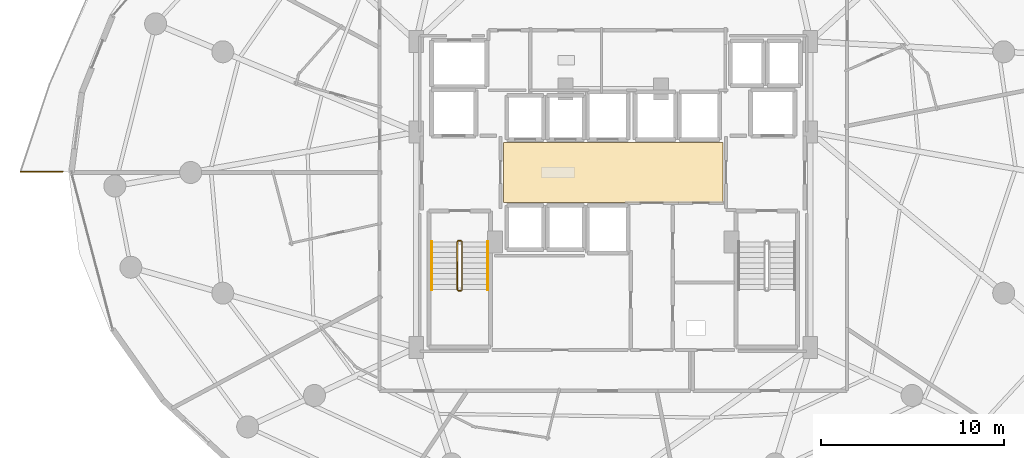
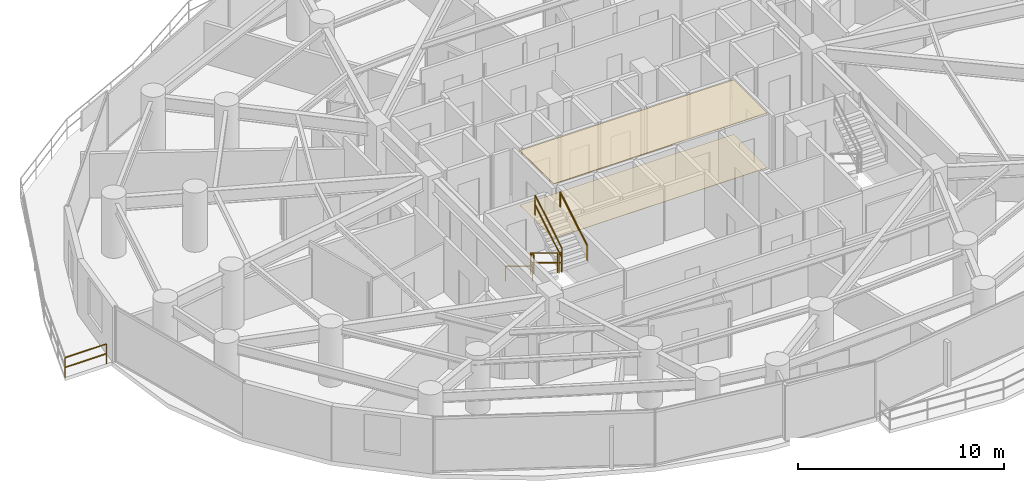
# One storey, part 31 of 34: 7 railings, 2 coverings.
"""IFC4 building model written with IfcOpenShell, lengths in metres."""

from ifc_helpers import new_model, si_unit, direction, frame, origin, origin_2d, place, context, subcontext, project, spatial, polyline, rectangle, outline, extrude, material, layer, layer_set, type_object, element, save


model = new_model("IFC4")

# Units and contexts
model_context = context("Model", 3, precision=1e-05, world=origin(), true_north=direction((0.0, 1.0)))
body_context = subcontext(model_context, "Body", "Model", "MODEL_VIEW")
ifc_project = project(units=[si_unit("LENGTHUNIT", "METRE"), si_unit("AREAUNIT", "SQUARE_METRE"), si_unit("VOLUMEUNIT", "CUBIC_METRE"), si_unit("PLANEANGLEUNIT", "RADIAN"), si_unit("MASSUNIT", "GRAM", prefix="KILO")], contexts=[model_context])

# Site, building, storey
site_placement = place(None, origin())
site = spatial("IfcSite", under=ifc_project, at=site_placement, CompositionType="ELEMENT")
building_placement = place(site_placement, origin())
building = spatial("IfcBuilding", under=site, at=building_placement, Name="Vorneva Point Tower", CompositionType="ELEMENT")
storey_placement = place(building_placement, frame((0.0, 0.0, 62.5)))
storey = spatial("IfcBuildingStorey", under=building, at=storey_placement, Name="L16", CompositionType="ELEMENT", Elevation=62.5)

# Coverings
ifc_material_1 = material(Name="Perforated acoustic aluminium baffle ceiling", Category="aluminium")
ifc_layer_1 = layer(ifc_material_1, 0.030029296875)
ifc_layer_set_1 = layer_set([ifc_layer_1], Name="Perforated acoustic aluminium baffle ceiling")
covering_type_1 = type_object("IfcCoveringType", Name="COV-CEIL-BAF", PredefinedType="CEILING", material=ifc_layer_set_1)
covering_1_placement = place(storey_placement, frame((0.0, 0.0, 3.2099609375)))
element("IfcCovering", 1, at=covering_1_placement, inside=storey, type_object=covering_type_1, Name="L16 Lift Lobby Acoustic Baffle Ceiling", PredefinedType="CEILING", context=body_context, shape_type="SweptSolid", body=[
    extrude(outline(polyline([(32.02001953125, 24.3701171875), (43.97998046875, 24.3701171875), (43.97998046875, 27.6298828125), (32.02001953125, 27.6298828125), (32.02001953125, 24.3701171875)])), origin(), (0.0, 0.0, 1.0), 0.03515625),
])
ifc_material_2 = material(Name="Acoustic wool hospitality carpet", Category="textile")
ifc_layer_2 = layer(ifc_material_2, 0.01806640625)
ifc_layer_set_2 = layer_set([ifc_layer_2], Name="Acoustic wool hospitality carpet")
covering_type_2 = type_object("IfcCoveringType", Name="COV-FLR-CRP", PredefinedType="FLOORING", material=ifc_layer_set_2)
covering_2_placement = place(storey_placement, frame((0.0, 0.0, -0.0048828125)))
element("IfcCovering", 2, at=covering_2_placement, inside=storey, type_object=covering_type_2, Name="L16 Lift Lobby Floor Finish", PredefinedType="FLOORING", context=body_context, shape_type="SweptSolid", body=[
    extrude(outline(polyline([(32.02001953125, 24.3701171875), (43.97998046875, 24.3701171875), (43.97998046875, 27.6298828125), (32.02001953125, 27.6298828125), (32.02001953125, 24.3701171875)])), origin(), (0.0, 0.0, 1.0), 0.02294921875),
])

# Railings
ifc_material_3 = material(Name="Pale anodised aluminium", Category="aluminium")
railing_type_1 = type_object("IfcRailingType", Name="RL-BAL-1200", PredefinedType="BALUSTRADE", material=ifc_material_3)
railing_1_placement = place(storey_placement, frame((5.66650390625, 26.050048828125, 0.0)))
element("IfcRailing", 3, at=railing_1_placement, inside=storey, type_object=railing_type_1, Name="L16 Wave Balcony Balustrade NW.1", PredefinedType="BALUSTRADE", context=body_context, shape_type="SweptSolid", body=[
    extrude(rectangle(XDim=0.048095703125, YDim=0.048095703125, at=origin_2d()), frame((0.0, 0.0, 1.17578125), z_axis=(1.0, 0.0, 0.0), x_axis=(0.0, 1.0, 0.0)), (0.0, 0.0, 1.0), 2.3173828125),
    extrude(rectangle(XDim=0.048095703125, YDim=0.048095703125, at=origin_2d()), frame((0.0, 0.0, 0.60009765625), z_axis=(1.0, 0.0, 0.0), x_axis=(0.0, 1.0, 0.0)), (0.0, 0.0, 1.0), 2.3173828125),
    extrude(rectangle(XDim=0.0419921875, YDim=0.0419921875, at=origin_2d()), origin(), (0.0, 0.0, 1.0), 1.15185546875),
    extrude(rectangle(XDim=0.0419921875, YDim=0.0419921875, at=origin_2d()), frame((2.3173828125, 0.0, 0.0)), (0.0, 0.0, 1.0), 1.15185546875),
])
ifc_material_4 = material(Name="Brushed stainless steel S304", Category="steel")
railing_type_2 = type_object("IfcRailingType", Name="RL-HND-920", PredefinedType="HANDRAIL", material=ifc_material_4)
railing_2_placement = place(storey_placement, frame((28.10009765625, 22.219970703125, 0.175048828125)))
element("IfcRailing", 4, at=railing_2_placement, inside=storey, type_object=railing_type_2, Name="L16 ST1 stair handrail 1", PredefinedType="HANDRAIL", context=body_context, shape_type="SweptSolid", body=[
    extrude(rectangle(XDim=0.048095703125, YDim=0.048095703125, at=origin_2d()), frame((0.0, 0.0, 0.8759765625), z_axis=(0.0, -0.85618277418, 0.516673066065), x_axis=(1.0, 0.0, 0.0)), (0.0, 0.0, 1.0), 3.04833984375),
    extrude(rectangle(XDim=0.0419921875, YDim=0.0419921875, at=origin_2d()), origin(), (0.0, 0.0, 1.0), 0.851806640625),
    extrude(rectangle(XDim=0.0419921875, YDim=0.0419921875, at=origin_2d()), frame((0.0, -2.60986328125, 1.574951171875)), (0.0, 0.0, 1.0), 0.851806640625),
])
railing_3_placement = place(storey_placement, frame((31.14990234375, 19.610107421875, 1.925048828125)))
element("IfcRailing", 5, at=railing_3_placement, inside=storey, type_object=railing_type_2, Name="L16 ST1 stair handrail 2", PredefinedType="HANDRAIL", context=body_context, shape_type="SweptSolid", body=[
    extrude(rectangle(XDim=0.048095703125, YDim=0.048095703125, at=origin_2d()), frame((0.0, 0.0, 0.8759765625), z_axis=(0.0, 0.85618277418, 0.516673066065), x_axis=(-1.0, 0.0, 0.0)), (0.0, 0.0, 1.0), 3.04833984375),
    extrude(rectangle(XDim=0.0419921875, YDim=0.0419921875, at=origin_2d()), origin(), (0.0, 0.0, 1.0), 0.851806640625),
    extrude(rectangle(XDim=0.0419921875, YDim=0.0419921875, at=origin_2d()), frame((0.0, 2.60986328125, 1.574951171875)), (0.0, 0.0, 1.0), 0.851806640625),
])
railing_type_3 = type_object("IfcRailingType", Name="RL-STG-1100", PredefinedType="GUARDRAIL", material=ifc_material_4)
railing_4_placement = place(storey_placement, frame((29.5, 22.219970703125, 0.175048828125)))
element("IfcRailing", 6, at=railing_4_placement, inside=storey, type_object=railing_type_3, Name="L16 ST1 stair guard 1", PredefinedType="GUARDRAIL", context=body_context, shape_type="SweptSolid", body=[
    extrude(rectangle(XDim=0.048095703125, YDim=0.048095703125, at=origin_2d()), frame((0.0, 0.0, 1.17578125), z_axis=(0.0, -0.85618277418, 0.516673066065), x_axis=(1.0, 0.0, 0.0)), (0.0, 0.0, 1.0), 3.04833984375),
    extrude(rectangle(XDim=0.048095703125, YDim=0.048095703125, at=origin_2d()), frame((0.0, 0.0, 0.60009765625), z_axis=(0.0, -0.85618277418, 0.516673066065), x_axis=(1.0, 0.0, 0.0)), (0.0, 0.0, 1.0), 3.04833984375),
    extrude(rectangle(XDim=0.0419921875, YDim=0.0419921875, at=origin_2d()), origin(), (0.0, 0.0, 1.0), 1.15185546875),
    extrude(rectangle(XDim=0.0419921875, YDim=0.0419921875, at=origin_2d()), frame((0.0, -2.60986328125, 1.574951171875)), (0.0, 0.0, 1.0), 1.15185546875),
])
railing_5_placement = place(storey_placement, frame((29.550048828125, 19.56005859375, 1.75)))
element("IfcRailing", 7, at=railing_5_placement, inside=storey, type_object=railing_type_3, Name="L16 ST1 stair guard 2", PredefinedType="GUARDRAIL", context=body_context, shape_type="SweptSolid", body=[
    extrude(rectangle(XDim=0.048095703125, YDim=0.048095703125, at=origin_2d()), frame((0.0, 0.0, 1.17578125), z_axis=(1.0, 0.0, 0.0), x_axis=(0.0, 1.0, 0.0)), (0.0, 0.0, 1.0), 0.14990234375),
    extrude(rectangle(XDim=0.048095703125, YDim=0.048095703125, at=origin_2d()), frame((0.0, 0.0, 0.60009765625), z_axis=(1.0, 0.0, 0.0), x_axis=(0.0, 1.0, 0.0)), (0.0, 0.0, 1.0), 0.14990234375),
    extrude(rectangle(XDim=0.0419921875, YDim=0.0419921875, at=origin_2d()), origin(), (0.0, 0.0, 1.0), 1.15185546875),
    extrude(rectangle(XDim=0.0419921875, YDim=0.0419921875, at=origin_2d()), frame((0.14990234375, 0.0, 0.0)), (0.0, 0.0, 1.0), 1.15185546875),
])
railing_6_placement = place(storey_placement, frame((29.75, 19.610107421875, 1.925048828125)))
element("IfcRailing", 8, at=railing_6_placement, inside=storey, type_object=railing_type_3, Name="L16 ST1 stair guard 3", PredefinedType="GUARDRAIL", context=body_context, shape_type="SweptSolid", body=[
    extrude(rectangle(XDim=0.048095703125, YDim=0.048095703125, at=origin_2d()), frame((0.0, 0.0, 1.17578125), z_axis=(0.0, 0.85618277418, 0.516673066065), x_axis=(-1.0, 0.0, 0.0)), (0.0, 0.0, 1.0), 3.04833984375),
    extrude(rectangle(XDim=0.048095703125, YDim=0.048095703125, at=origin_2d()), frame((0.0, 0.0, 0.60009765625), z_axis=(0.0, 0.85618277418, 0.516673066065), x_axis=(-1.0, 0.0, 0.0)), (0.0, 0.0, 1.0), 3.04833984375),
    extrude(rectangle(XDim=0.0419921875, YDim=0.0419921875, at=origin_2d()), origin(), (0.0, 0.0, 1.0), 1.15185546875),
    extrude(rectangle(XDim=0.0419921875, YDim=0.0419921875, at=origin_2d()), frame((0.0, 2.60986328125, 1.574951171875)), (0.0, 0.0, 1.0), 1.15185546875),
])
railing_7_placement = place(storey_placement, frame((29.550048828125, 22.27001953125, 0.0)))
element("IfcRailing", 9, at=railing_7_placement, inside=storey, type_object=railing_type_3, Name="L16 ST1 stair guard 4", PredefinedType="GUARDRAIL", context=body_context, shape_type="SweptSolid", body=[
    extrude(rectangle(XDim=0.048095703125, YDim=0.048095703125, at=origin_2d()), frame((0.0, 0.0, 1.17578125), z_axis=(1.0, 0.0, 0.0), x_axis=(0.0, 1.0, 0.0)), (0.0, 0.0, 1.0), 0.14990234375),
    extrude(rectangle(XDim=0.048095703125, YDim=0.048095703125, at=origin_2d()), frame((0.0, 0.0, 0.60009765625), z_axis=(1.0, 0.0, 0.0), x_axis=(0.0, 1.0, 0.0)), (0.0, 0.0, 1.0), 0.14990234375),
    extrude(rectangle(XDim=0.0419921875, YDim=0.0419921875, at=origin_2d()), origin(), (0.0, 0.0, 1.0), 1.15185546875),
    extrude(rectangle(XDim=0.0419921875, YDim=0.0419921875, at=origin_2d()), frame((0.14990234375, 0.0, 0.0)), (0.0, 0.0, 1.0), 1.15185546875),
])

save(model, "model.ifc")
